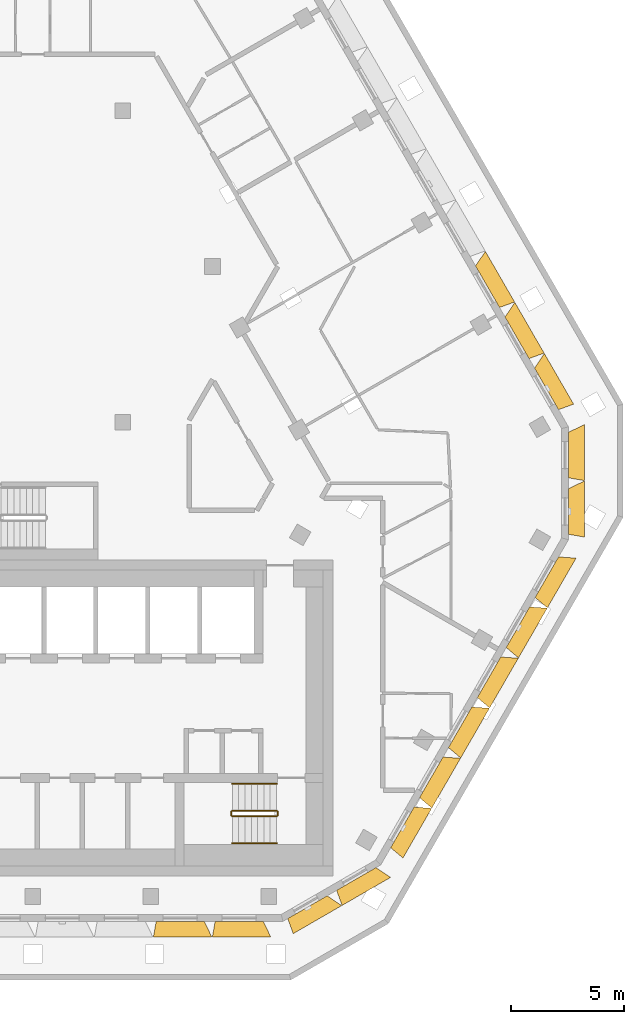
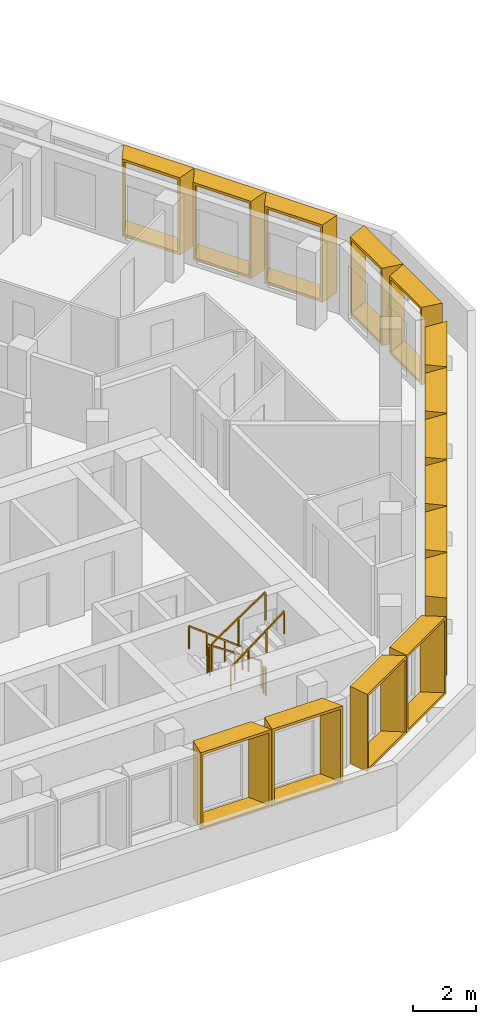
# One storey, part 14 of 15: 15 shading devices, 6 railings.
"""IFC4 building model written with IfcOpenShell, lengths in metres."""

from ifc_helpers import new_model, entity, si_unit, direction, frame, origin, origin_2d, place, context, subcontext, project, spatial, rectangle, extrude, source, transform, mapped, material, type_object, type_shapes, element, save


model = new_model("IFC4")

# Units and contexts
model_context = context("Model", 3, precision=1e-05, world=origin(), true_north=direction((0.0, 1.0)))
body_context = subcontext(model_context, "Body", "Model", "MODEL_VIEW")
ifc_project = project(units=[si_unit("LENGTHUNIT", "METRE"), si_unit("AREAUNIT", "SQUARE_METRE"), si_unit("VOLUMEUNIT", "CUBIC_METRE"), si_unit("PLANEANGLEUNIT", "RADIAN"), si_unit("MASSUNIT", "GRAM", prefix="KILO")], contexts=[model_context])

# Site, building, storey
site_placement = place(None, origin())
site = spatial("IfcSite", under=ifc_project, at=site_placement, CompositionType="ELEMENT")
building_placement = place(site_placement, origin())
building = spatial("IfcBuilding", under=site, at=building_placement, Name="Beryl Residences", CompositionType="ELEMENT")
storey_placement = place(building_placement, frame((0.0, 0.0, 202.800048828125)))
storey = spatial("IfcBuildingStorey", under=building, at=storey_placement, Name="L62", CompositionType="ELEMENT", Elevation=202.800048828125)

# Shading devices
ifc_material_1 = material(Name="Aluminium pale anodised", Category="aluminium")
shading_device_type_1 = type_object("IfcShadingDeviceType", Name="FR250-70C OUTER SKIN frame 700 mm deep, splay 10/26 deg, 2500 x 3000 mm cell", PredefinedType="USERDEFINED", material=ifc_material_1)
cartesian_point_1 = entity("IfcCartesianPoint", [-1.007568359375, 0.0])
cartesian_point_2 = entity("IfcCartesianPoint", [-0.92626953125, 0.10009765625])
cartesian_point_3 = entity("IfcCartesianPoint", [-1.130859375, 0.0])
cartesian_point_4 = entity("IfcCartesianPoint", [-1.0498046875, 0.10009765625])
shared_shape_1 = source(origin(), body_context, "Body", "SweptSolid", [
    entity("IfcExtrudedAreaSolidTapered", entity("IfcArbitraryProfileDefWithVoids", "AREA", None, entity("IfcPolyline", [cartesian_point_1, entity("IfcCartesianPoint", [1.007568359375, 0.0]), entity("IfcCartesianPoint", [1.007568359375, 3.0]), entity("IfcCartesianPoint", [-1.007568359375, 3.0]), cartesian_point_1]), [entity("IfcPolyline", [cartesian_point_2, entity("IfcCartesianPoint", [0.91845703125, 0.10009765625]), entity("IfcCartesianPoint", [0.91845703125, 2.89990234375]), entity("IfcCartesianPoint", [-0.92626953125, 2.89990234375]), cartesian_point_2])]), entity("IfcAxis2Placement3D", entity("IfcCartesianPoint", [0.0, 0.0, 0.0]), entity("IfcDirection", [0.0, 1.0, 0.0]), entity("IfcDirection", [-1.0, 0.0, 0.0])), entity("IfcDirection", [0.0, 0.0, 1.0]), 0.699951171875, entity("IfcArbitraryProfileDefWithVoids", "AREA", None, entity("IfcPolyline", [cartesian_point_3, entity("IfcCartesianPoint", [1.348876953125, 0.0]), entity("IfcCartesianPoint", [1.348876953125, 3.0]), entity("IfcCartesianPoint", [-1.130859375, 3.0]), cartesian_point_3]), [entity("IfcPolyline", [cartesian_point_4, entity("IfcCartesianPoint", [1.260009765625, 0.10009765625]), entity("IfcCartesianPoint", [1.260009765625, 2.89990234375]), entity("IfcCartesianPoint", [-1.0498046875, 2.89990234375]), cartesian_point_4])])),
])
type_shapes(shading_device_type_1, [shared_shape_1])
for number, where, z_axis, x_axis, name in (
    (1, (12.16796875, -20.375, 0.0), (0.0, 0.0, 1.0), (-0.866025403784, -0.5, 0.0), "FR250-70C frame L62 S-SE 1"),
    (2, (14.33203125, -19.125, 0.0), (0.0, 0.0, 1.0), (-0.866025403784, -0.5, 0.0), "FR250-70C frame L62 S-SE 2"),
    (3, (23.72900390625, -2.85009765625, 0.0), (0.0, 0.0, 1.0), (0.0, -1.0, 0.0), "FR250-70C frame L62 SE-NE 1"),
    (4, (23.72900390625, -0.35009765625, 0.0), (0.0, 0.0, 1.0), (0.0, -1.0, 0.0), "FR250-70C frame L62 SE-NE 2"),
):
    element("IfcShadingDevice", number, at=place(storey_placement, frame(where, z_axis=z_axis, x_axis=x_axis)), inside=storey, type_object=shading_device_type_1, Name=name, ObjectType="OUTER SKIN", PredefinedType="USERDEFINED", context=body_context, shape_type="MappedRepresentation", body=[
        mapped(shared_shape_1, transform((0.0, 0.0, 0.0))),
    ])
ifc_material_2 = material(Name="Aluminium pale anodised", Category="aluminium")
shading_device_type_2 = type_object("IfcShadingDeviceType", Name="FR256-70C OUTER SKIN frame 700 mm deep, splay 10/26 deg, 2560 x 3000 mm cell", PredefinedType="USERDEFINED", material=ifc_material_2)
cartesian_point_5 = entity("IfcCartesianPoint", [-1.03759765625, 0.0])
cartesian_point_6 = entity("IfcCartesianPoint", [-0.956298828125, 0.10009765625])
cartesian_point_7 = entity("IfcCartesianPoint", [-1.160888671875, 0.0])
cartesian_point_8 = entity("IfcCartesianPoint", [-1.07958984375, 0.10009765625])
shared_shape_2 = source(origin(), body_context, "Body", "SweptSolid", [
    entity("IfcExtrudedAreaSolidTapered", entity("IfcArbitraryProfileDefWithVoids", "AREA", None, entity("IfcPolyline", [cartesian_point_5, entity("IfcCartesianPoint", [1.03759765625, 0.0]), entity("IfcCartesianPoint", [1.03759765625, 3.0]), entity("IfcCartesianPoint", [-1.03759765625, 3.0]), cartesian_point_5]), [entity("IfcPolyline", [cartesian_point_6, entity("IfcCartesianPoint", [0.948486328125, 0.10009765625]), entity("IfcCartesianPoint", [0.948486328125, 2.89990234375]), entity("IfcCartesianPoint", [-0.956298828125, 2.89990234375]), cartesian_point_6])]), entity("IfcAxis2Placement3D", entity("IfcCartesianPoint", [0.0, 0.0, 0.0]), entity("IfcDirection", [0.0, 1.0, 0.0]), entity("IfcDirection", [-1.0, 0.0, 0.0])), entity("IfcDirection", [0.0, 0.0, 1.0]), 0.699951171875, entity("IfcArbitraryProfileDefWithVoids", "AREA", None, entity("IfcPolyline", [cartesian_point_7, entity("IfcCartesianPoint", [1.37890625, 0.0]), entity("IfcCartesianPoint", [1.37890625, 3.0]), entity("IfcCartesianPoint", [-1.160888671875, 3.0]), cartesian_point_7]), [entity("IfcPolyline", [cartesian_point_8, entity("IfcCartesianPoint", [1.289794921875, 0.10009765625]), entity("IfcCartesianPoint", [1.289794921875, 2.89990234375]), entity("IfcCartesianPoint", [-1.07958984375, 2.89990234375]), cartesian_point_8])])),
])
type_shapes(shading_device_type_2, [shared_shape_2])
for number, where, z_axis, x_axis, name in (
    (5, (16.373046875, -16.842041015625, 0.0), (0.0, 0.0, 1.0), (-0.5, -0.866025403784, 0.0), "FR256-70C frame L62 SE 1"),
    (6, (17.652099609375, -14.625, 0.0), (0.0, 0.0, 1.0), (-0.5, -0.866025403784, 0.0), "FR256-70C frame L62 SE 2"),
    (7, (18.931884765625, -12.408935546875, 0.0), (0.0, 0.0, 1.0), (-0.5, -0.866025403784, 0.0), "FR256-70C frame L62 SE 3"),
    (8, (20.2119140625, -10.19189453125, 0.0), (0.0, 0.0, 1.0), (-0.5, -0.866025403784, 0.0), "FR256-70C frame L62 SE 4"),
    (9, (21.490966796875, -7.97607421875, 0.0), (0.0, 0.0, 1.0), (-0.5, -0.866025403784, 0.0), "FR256-70C frame L62 SE 5"),
    (10, (22.77099609375, -5.759033203125, 0.0), (0.0, 0.0, 1.0), (-0.5, -0.866025403784, 0.0), "FR256-70C frame L62 SE 6"),
):
    element("IfcShadingDevice", number, at=place(storey_placement, frame(where, z_axis=z_axis, x_axis=x_axis)), inside=storey, type_object=shading_device_type_2, Name=name, ObjectType="OUTER SKIN", PredefinedType="USERDEFINED", context=body_context, shape_type="MappedRepresentation", body=[
        mapped(shared_shape_2, transform((0.0, 0.0, 0.0))),
    ])
ifc_material_3 = material(Name="Aluminium pale anodised", Category="aluminium")
shading_device_type_3 = type_object("IfcShadingDeviceType", Name="FR261-70C OUTER SKIN frame 700 mm deep, splay 10/26 deg, 2610 x 3000 mm cell", PredefinedType="USERDEFINED", material=ifc_material_3)
cartesian_point_9 = entity("IfcCartesianPoint", [-1.0625, 0.0])
cartesian_point_10 = entity("IfcCartesianPoint", [-0.981201171875, 0.10009765625])
cartesian_point_11 = entity("IfcCartesianPoint", [-1.18603515625, 0.0])
cartesian_point_12 = entity("IfcCartesianPoint", [-1.104736328125, 0.10009765625])
shared_shape_3 = source(origin(), body_context, "Body", "SweptSolid", [
    entity("IfcExtrudedAreaSolidTapered", entity("IfcArbitraryProfileDefWithVoids", "AREA", None, entity("IfcPolyline", [cartesian_point_9, entity("IfcCartesianPoint", [1.0625, 0.0]), entity("IfcCartesianPoint", [1.0625, 3.0]), entity("IfcCartesianPoint", [-1.0625, 3.0]), cartesian_point_9]), [entity("IfcPolyline", [cartesian_point_10, entity("IfcCartesianPoint", [0.973388671875, 0.10009765625]), entity("IfcCartesianPoint", [0.973388671875, 2.89990234375]), entity("IfcCartesianPoint", [-0.981201171875, 2.89990234375]), cartesian_point_10])]), entity("IfcAxis2Placement3D", entity("IfcCartesianPoint", [0.0, 0.0, 0.0]), entity("IfcDirection", [0.0, 1.0, 0.0]), entity("IfcDirection", [-1.0, 0.0, 0.0])), entity("IfcDirection", [0.0, 0.0, 1.0]), 0.699951171875, entity("IfcArbitraryProfileDefWithVoids", "AREA", None, entity("IfcPolyline", [cartesian_point_11, entity("IfcCartesianPoint", [1.40380859375, 0.0]), entity("IfcCartesianPoint", [1.40380859375, 3.0]), entity("IfcCartesianPoint", [-1.18603515625, 3.0]), cartesian_point_11]), [entity("IfcPolyline", [cartesian_point_12, entity("IfcCartesianPoint", [1.31494140625, 0.10009765625]), entity("IfcCartesianPoint", [1.31494140625, 2.89990234375]), entity("IfcCartesianPoint", [-1.104736328125, 2.89990234375]), cartesian_point_12])])),
])
type_shapes(shading_device_type_3, [shared_shape_3])
for number, where, z_axis, x_axis, name in (
    (11, (6.531005859375, -21.0, 0.0), (0.0, 0.0, 1.0), (-1.0, 0.0, 0.0), "FR261-70C frame L62 S 7"),
    (12, (9.14404296875, -21.0, 0.0), (0.0, 0.0, 1.0), (-1.0, 0.0, 0.0), "FR261-70C frame L62 S 8"),
    (13, (22.758056640625, 2.5810546875, 0.0), (0.0, 0.0, 1.0), (0.5, -0.866025403784, 0.0), "FR261-70C frame L62 NE 1"),
    (14, (21.450927734375, 4.843994140625, 0.0), (0.0, 0.0, 1.0), (0.5, -0.866025403784, 0.0), "FR261-70C frame L62 NE 2"),
    (15, (20.14501953125, 7.10595703125, 0.0), (0.0, 0.0, 1.0), (0.5, -0.866025403784, 0.0), "FR261-70C frame L62 NE 3"),
):
    element("IfcShadingDevice", number, at=place(storey_placement, frame(where, z_axis=z_axis, x_axis=x_axis)), inside=storey, type_object=shading_device_type_3, Name=name, ObjectType="OUTER SKIN", PredefinedType="USERDEFINED", context=body_context, shape_type="MappedRepresentation", body=[
        mapped(shared_shape_3, transform((0.0, 0.0, 0.0))),
    ])

# Railings
ifc_material_4 = material(Name="Stainless steel balustrade with glass infill", Category="steel")
railing_type_1 = type_object("IfcRailingType", Name="SG1 stair guard 1100 mm", PredefinedType="GUARDRAIL", material=ifc_material_4)
railing_1_placement = place(storey_placement, frame((10.800048828125, -16.10009765625, 0.1875)))
element("IfcRailing", 16, at=railing_1_placement, inside=storey, type_object=railing_type_1, Name="L62 ST-3 stair guard 1", PredefinedType="GUARDRAIL", context=body_context, shape_type="SweptSolid", body=[
    extrude(rectangle(XDim=0.048095703125, YDim=0.048095703125, at=origin_2d()), frame((0.0, 0.0, 1.076171875), z_axis=(-0.830902050051, 0.0, 0.556418712142), x_axis=(0.0, -1.0, 0.0)), (0.0, 0.0, 1.0), 2.35888671875),
    extrude(rectangle(XDim=0.0419921875, YDim=0.0419921875, at=origin_2d()), origin(), (0.0, 0.0, 1.0), 1.052001953125),
    extrude(rectangle(XDim=0.0419921875, YDim=0.0419921875, at=origin_2d()), frame((-0.97998046875, 0.0, 0.65625)), (0.0, 0.0, 1.0), 1.052001953125),
    extrude(rectangle(XDim=0.0419921875, YDim=0.0419921875, at=origin_2d()), frame((-1.9599609375, 0.0, 1.3125)), (0.0, 0.0, 1.0), 1.052001953125),
])
railing_2_placement = place(storey_placement, frame((8.7900390625, -16.14990234375, 1.5)))
element("IfcRailing", 17, at=railing_2_placement, inside=storey, type_object=railing_type_1, Name="L62 ST-3 stair guard 2", PredefinedType="GUARDRAIL", context=body_context, shape_type="SweptSolid", body=[
    extrude(rectangle(XDim=0.048095703125, YDim=0.048095703125, at=origin_2d()), frame((0.0, 0.0, 1.076171875), z_axis=(0.0, -1.0, 0.0), x_axis=(1.0, 0.0, 0.0)), (0.0, 0.0, 1.0), 0.150146484375),
    extrude(rectangle(XDim=0.0419921875, YDim=0.0419921875, at=origin_2d()), origin(), (0.0, 0.0, 1.0), 1.052001953125),
    extrude(rectangle(XDim=0.0419921875, YDim=0.0419921875, at=origin_2d()), frame((0.0, -0.150146484375, 0.0)), (0.0, 0.0, 1.0), 1.052001953125),
])
railing_3_placement = place(storey_placement, frame((8.840087890625, -16.35009765625, 1.6875)))
element("IfcRailing", 18, at=railing_3_placement, inside=storey, type_object=railing_type_1, Name="L62 ST-3 stair guard 3", PredefinedType="GUARDRAIL", context=body_context, shape_type="SweptSolid", body=[
    extrude(rectangle(XDim=0.048095703125, YDim=0.048095703125, at=origin_2d()), frame((0.0, 0.0, 1.076171875), z_axis=(0.830902050051, 0.0, 0.556418712142), x_axis=(0.0, 1.0, 0.0)), (0.0, 0.0, 1.0), 2.35888671875),
    extrude(rectangle(XDim=0.0419921875, YDim=0.0419921875, at=origin_2d()), origin(), (0.0, 0.0, 1.0), 1.052001953125),
    extrude(rectangle(XDim=0.0419921875, YDim=0.0419921875, at=origin_2d()), frame((0.97998046875, 0.0, 0.65625)), (0.0, 0.0, 1.0), 1.052001953125),
    extrude(rectangle(XDim=0.0419921875, YDim=0.0419921875, at=origin_2d()), frame((1.9599609375, 0.0, 1.3125)), (0.0, 0.0, 1.0), 1.052001953125),
])
railing_4_placement = place(storey_placement, frame((10.85009765625, -16.14990234375, 0.0)))
element("IfcRailing", 19, at=railing_4_placement, inside=storey, type_object=railing_type_1, Name="L62 ST-3 stair guard 4", PredefinedType="GUARDRAIL", context=body_context, shape_type="SweptSolid", body=[
    extrude(rectangle(XDim=0.048095703125, YDim=0.048095703125, at=origin_2d()), frame((0.0, 0.0, 1.076171875), z_axis=(0.0, -1.0, 0.0), x_axis=(1.0, 0.0, 0.0)), (0.0, 0.0, 1.0), 0.150146484375),
    extrude(rectangle(XDim=0.0419921875, YDim=0.0419921875, at=origin_2d()), origin(), (0.0, 0.0, 1.0), 1.052001953125),
    extrude(rectangle(XDim=0.0419921875, YDim=0.0419921875, at=origin_2d()), frame((0.0, -0.150146484375, 0.0)), (0.0, 0.0, 1.0), 1.052001953125),
])
ifc_material_5 = material(Name="Stainless steel handrail", Category="steel")
railing_type_2 = type_object("IfcRailingType", Name="SRL1 stair handrail 900 mm", PredefinedType="HANDRAIL", material=ifc_material_5)
railing_5_placement = place(storey_placement, frame((10.800048828125, -14.89990234375, 0.1875)))
element("IfcRailing", 20, at=railing_5_placement, inside=storey, type_object=railing_type_2, Name="L62 ST-3 stair handrail 1", PredefinedType="HANDRAIL", context=body_context, shape_type="SweptSolid", body=[
    extrude(rectangle(XDim=0.048095703125, YDim=0.048095703125, at=origin_2d()), frame((0.0, 0.0, 0.8759765625), z_axis=(-0.794121922505, 0.0, 0.607758481798), x_axis=(0.0, -1.0, 0.0)), (0.0, 0.0, 1.0), 2.468017578125),
    extrude(rectangle(XDim=0.0419921875, YDim=0.0419921875, at=origin_2d()), origin(), (0.0, 0.0, 1.0), 0.851806640625),
    extrude(rectangle(XDim=0.0419921875, YDim=0.0419921875, at=origin_2d()), frame((-0.6533203125, 0.0, 0.5)), (0.0, 0.0, 1.0), 0.851806640625),
    extrude(rectangle(XDim=0.0419921875, YDim=0.0419921875, at=origin_2d()), frame((-1.306640625, 0.0, 1.0)), (0.0, 0.0, 1.0), 0.851806640625),
    extrude(rectangle(XDim=0.0419921875, YDim=0.0419921875, at=origin_2d()), frame((-1.9599609375, 0.0, 1.5)), (0.0, 0.0, 1.0), 0.851806640625),
])
railing_6_placement = place(storey_placement, frame((8.840087890625, -17.550048828125, 1.6875)))
element("IfcRailing", 21, at=railing_6_placement, inside=storey, type_object=railing_type_2, Name="L62 ST-3 stair handrail 2", PredefinedType="HANDRAIL", context=body_context, shape_type="SweptSolid", body=[
    extrude(rectangle(XDim=0.048095703125, YDim=0.048095703125, at=origin_2d()), frame((0.0, 0.0, 0.8759765625), z_axis=(0.794121922505, 0.0, 0.607758481798), x_axis=(0.0, 1.0, 0.0)), (0.0, 0.0, 1.0), 2.468017578125),
    extrude(rectangle(XDim=0.0419921875, YDim=0.0419921875, at=origin_2d()), origin(), (0.0, 0.0, 1.0), 0.851806640625),
    extrude(rectangle(XDim=0.0419921875, YDim=0.0419921875, at=origin_2d()), frame((0.6533203125, 0.0, 0.5)), (0.0, 0.0, 1.0), 0.851806640625),
    extrude(rectangle(XDim=0.0419921875, YDim=0.0419921875, at=origin_2d()), frame((1.306640625, 0.0, 1.0)), (0.0, 0.0, 1.0), 0.851806640625),
    extrude(rectangle(XDim=0.0419921875, YDim=0.0419921875, at=origin_2d()), frame((1.9599609375, 0.0, 1.5)), (0.0, 0.0, 1.0), 0.851806640625),
])

save(model, "model.ifc")
